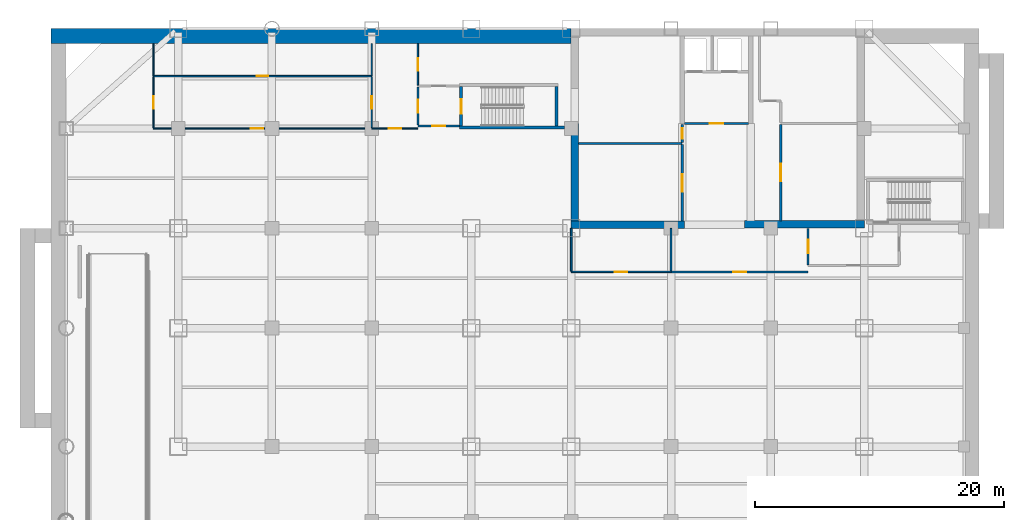
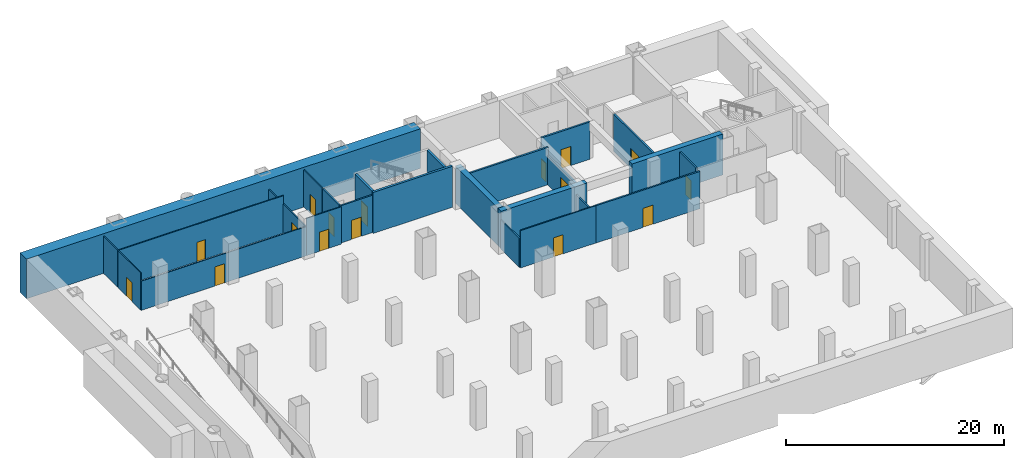
# One storey, part 4 of 8: 27 walls, 16 doors, 16 openings.
"""IFC4 building model written with IfcOpenShell, lengths in metres."""

from ifc_helpers import new_model, si_unit, direction, frame, frame_2d, origin, place, context, subcontext, project, spatial, rectangle, extrude, material, layer, layer_set, type_object, element, fill, save


model = new_model("IFC4")

# Units and contexts
model_context = context("Model", 3, precision=1e-05, world=origin(), true_north=direction((0.0, 1.0)))
body_context = subcontext(model_context, "Body", "Model", "MODEL_VIEW")
ifc_project = project(units=[si_unit("LENGTHUNIT", "METRE"), si_unit("AREAUNIT", "SQUARE_METRE"), si_unit("VOLUMEUNIT", "CUBIC_METRE"), si_unit("PLANEANGLEUNIT", "RADIAN"), si_unit("MASSUNIT", "GRAM", prefix="KILO")], contexts=[model_context])

# Site, building, storey
site_placement = place(None, origin())
site = spatial("IfcSite", under=ifc_project, at=site_placement, CompositionType="ELEMENT")
building_placement = place(site_placement, origin())
building = spatial("IfcBuilding", under=site, at=building_placement, Name="Qianrong Seaharbour Tower", CompositionType="ELEMENT")
storey_placement = place(building_placement, frame((0.0, 0.0, -4.60009765625)))
storey = spatial("IfcBuildingStorey", under=building, at=storey_placement, Name="B01", CompositionType="ELEMENT", Elevation=-4.60009765625)

# Walls
ifc_material_1 = material(Name="Concrete C70/85", Category="concrete")
ifc_layer_1 = layer(ifc_material_1, 0.580078125)
ifc_layer_set_1 = layer_set([ifc_layer_1], Name="Concrete C70/85")
wall_type_1 = type_object("IfcWallType", Name="WALL-CORE-580", PredefinedType="SHEAR", material=ifc_layer_set_1)
wall_1_placement = place(storey_placement, frame((40.7900390625, 36.580078125, 0.0), z_axis=(0.0, 0.0, 1.0), x_axis=(0.0, 1.0, 0.0)))
element("IfcWall", 1, at=wall_1_placement, inside=storey, type_object=wall_type_1, Name="B01 West Core Shear Wall South", PredefinedType="SHEAR", context=body_context, shape_type="SweptSolid", body=[
    extrude(rectangle(XDim=7.81982421875, YDim=0.580078125, at=frame_2d((3.909912109375, 0.0))), origin(), (0.0, 0.0, 1.0), 4.18017578125),
])
wall_2_placement = place(storey_placement, frame((40.5, 36.2900390625, 0.0), z_axis=(0.0, 0.0, 1.0), x_axis=(1.0, 0.0, 0.0)))
element("IfcWall", 2, at=wall_2_placement, inside=storey, type_object=wall_type_1, Name="B01 South Core Shear Wall S1", PredefinedType="SHEAR", context=body_context, shape_type="SweptSolid", body=[
    extrude(rectangle(XDim=9.10009765625, YDim=0.580078125, at=frame_2d((4.550048828125, 0.0))), origin(), (0.0, 0.0, 1.0), 4.18017578125),
])
wall_3_placement = place(storey_placement, frame((54.39990234375, 36.320068359375, 0.0), z_axis=(0.0, 0.0, 1.0), x_axis=(1.0, 0.0, 0.0)))
element("IfcWall", 3, at=wall_3_placement, inside=storey, type_object=wall_type_1, Name="B01 South Core Shear Wall S3", PredefinedType="SHEAR", context=body_context, shape_type="SweptSolid", body=[
    extrude(rectangle(XDim=9.60009765625, YDim=0.580078125, at=frame_2d((4.800048828125, 0.0))), origin(), (0.0, 0.0, 1.0), 4.60009765625),
])

# Wall, opening, door
ifc_material_2 = material(Name="Fire-rated acoustic gypsum board partition")
ifc_layer_2 = layer(ifc_material_2, 0.1650390625)
ifc_layer_set_2 = layer_set([ifc_layer_2], Name="Fire-rated acoustic gypsum board partition")
wall_type_2 = type_object("IfcWallType", Name="WALL-CORR-PART-165", PredefinedType="PARTITIONING", material=ifc_layer_set_2)
wall_4_placement = place(storey_placement, frame((28.199951171875, 44.2744140625, 0.0), z_axis=(0.0, 0.0, 1.0), x_axis=(0.0, 1.0, 0.0)))
wall_4 = element("IfcWall", 4, at=wall_4_placement, inside=storey, type_object=wall_type_2, Name="B01 Interior Partition Wall 010", PredefinedType="PARTITIONING", context=body_context, shape_type="SweptSolid", body=[
    extrude(rectangle(XDim=3.051025390625, YDim=0.1650390625, at=frame_2d((1.525390625, 0.0))), origin(), (0.0, 0.0, 1.0), 4.18017578125),
])
opening_1_placement = place(wall_4_placement, frame((1.00048828125, 0.0, 0.0)))
opening_1 = element("IfcOpeningElement", 5, at=opening_1_placement, cuts=wall_4, Name="Opening DC-01", PredefinedType="OPENING", context=body_context, shape_type="SweptSolid", body=[
    extrude(rectangle(XDim=1.050048828125, YDim=2.14990234375, at=frame_2d((0.52490234375, 1.074951171875))), frame((0.0, 0.092529296875, 0.0), z_axis=(0.0, -1.0, 0.0), x_axis=(1.0, 0.0, 0.0)), (0.0, 0.0, 1.0), 0.18505859375),
])
ifc_material_3 = material(Name="Acoustic timber and galvanized steel fire door assembly", Category="steel")
door_type_1 = type_object("IfcDoorType", Name="DOOR-CORR-FD60-1050x2150", OperationType="NOTDEFINED", PredefinedType="DOOR", material=ifc_material_3)
door_1_placement = place(opening_1_placement, origin())
door_1 = element("IfcDoor", 6, at=door_1_placement, inside=storey, type_object=door_type_1, Name="B01 Basement Stair Vestibule BST-1 Door", OperationType="SINGLE_SWING_RIGHT", OverallHeight=2.14990234375, OverallWidth=1.050048828125, PredefinedType="DOOR", context=body_context, shape_type="SweptSolid", body=[
    extrude(rectangle(XDim=1.050048828125, YDim=2.14990234375, at=frame_2d((0.52490234375, 1.074951171875))), frame((0.0, 0.02490234375, 0.0), z_axis=(0.0, -1.0, 0.0), x_axis=(1.0, 0.0, 0.0)), (0.0, 0.0, 1.0), 0.050048828125),
])
fill(opening_1, door_1)

wall_5_placement = place(storey_placement, frame((31.56005859375, 44.199951171875, 0.0), z_axis=(0.0, 0.0, 1.0), x_axis=(-1.0, 0.0, 0.0)))
wall_5 = element("IfcWall", 7, at=wall_5_placement, inside=storey, type_object=wall_type_2, Name="B01 Interior Partition Wall 011", PredefinedType="PARTITIONING", context=body_context, shape_type="SweptSolid", body=[
    extrude(rectangle(XDim=3.360107421875, YDim=0.1650390625, at=frame_2d((1.68017578125, 0.0))), origin(), (0.0, 0.0, 1.0), 4.18017578125),
])
opening_2_placement = place(wall_5_placement, frame((1.155029296875, 0.0, 0.0)))
opening_2 = element("IfcOpeningElement", 8, at=opening_2_placement, cuts=wall_5, Name="Opening DC-01", PredefinedType="OPENING", context=body_context, shape_type="SweptSolid", body=[
    extrude(rectangle(XDim=1.050048828125, YDim=2.14990234375, at=frame_2d((0.52490234375, 1.074951171875))), frame((0.0, 0.092529296875, 0.0), z_axis=(0.0, -1.0, 0.0), x_axis=(1.0, 0.0, 0.0)), (0.0, 0.0, 1.0), 0.18505859375),
])
door_2_placement = place(opening_2_placement, origin())
door_2 = element("IfcDoor", 9, at=door_2_placement, inside=storey, type_object=door_type_1, Name="B01 Basement Stair Vestibule BST-1 Door", OperationType="SINGLE_SWING_RIGHT", OverallHeight=2.14990234375, OverallWidth=1.050048828125, PredefinedType="DOOR", context=body_context, shape_type="SweptSolid", body=[
    extrude(rectangle(XDim=1.050048828125, YDim=2.14990234375, at=frame_2d((0.52490234375, 1.074951171875))), frame((0.0, 0.02490234375, 0.0), z_axis=(0.0, -1.0, 0.0), x_axis=(1.0, 0.0, 0.0)), (0.0, 0.0, 1.0), 0.050048828125),
])
fill(opening_2, door_2)

wall_6_placement = place(storey_placement, frame((59.5, 33.074462890625, 0.0), z_axis=(0.0, 0.0, 1.0), x_axis=(0.0, 1.0, 0.0)))
wall_6 = element("IfcWall", 10, at=wall_6_placement, inside=storey, type_object=wall_type_2, Name="B01 Interior Partition Wall 013", PredefinedType="PARTITIONING", context=body_context, shape_type="SweptSolid", body=[
    extrude(rectangle(XDim=2.925537109375, YDim=0.1650390625, at=frame_2d((1.462890625, 0.0))), origin(), (0.0, 0.0, 1.0), 4.18017578125),
])
opening_3_placement = place(wall_6_placement, frame((0.937744140625, 0.0, 0.0)))
opening_3 = element("IfcOpeningElement", 11, at=opening_3_placement, cuts=wall_6, Name="Opening DC-01", PredefinedType="OPENING", context=body_context, shape_type="SweptSolid", body=[
    extrude(rectangle(XDim=1.050048828125, YDim=2.14990234375, at=frame_2d((0.52490234375, 1.074951171875))), frame((0.0, 0.092529296875, 0.0), z_axis=(0.0, -1.0, 0.0), x_axis=(1.0, 0.0, 0.0)), (0.0, 0.0, 1.0), 0.18505859375),
])
door_3_placement = place(opening_3_placement, origin())
door_3 = element("IfcDoor", 12, at=door_3_placement, inside=storey, type_object=door_type_1, Name="B01 Basement Stair Vestibule BST-2 Door", OperationType="SINGLE_SWING_LEFT", OverallHeight=2.14990234375, OverallWidth=1.050048828125, PredefinedType="DOOR", context=body_context, shape_type="SweptSolid", body=[
    extrude(rectangle(XDim=1.050048828125, YDim=2.14990234375, at=frame_2d((0.52490234375, 1.074951171875))), frame((0.0, 0.02490234375, 0.0), z_axis=(0.0, -1.0, 0.0), x_axis=(1.0, 0.0, 0.0)), (0.0, 0.0, 1.0), 0.050048828125),
])
fill(opening_3, door_3)

wall_7_placement = place(storey_placement, frame((59.5, 32.5, 0.0), z_axis=(0.0, 0.0, 1.0), x_axis=(-1.0, 0.0, 0.0)))
wall_7 = element("IfcWall", 13, at=wall_7_placement, inside=storey, type_object=wall_type_2, Name="B01 Interior Partition Wall 025", PredefinedType="PARTITIONING", context=body_context, shape_type="SweptSolid", body=[
    extrude(rectangle(XDim=11.0, YDim=0.1650390625, at=frame_2d((5.5, 0.0))), origin(), (0.0, 0.0, 1.0), 4.18017578125),
])
opening_4_placement = place(wall_7_placement, frame((4.97509765625, 0.0, 0.0)))
opening_4 = element("IfcOpeningElement", 14, at=opening_4_placement, cuts=wall_7, Name="Opening DC-01", PredefinedType="OPENING", context=body_context, shape_type="SweptSolid", body=[
    extrude(rectangle(XDim=1.050048828125, YDim=2.14990234375, at=frame_2d((0.52490234375, 1.074951171875))), frame((0.0, 0.092529296875, 0.0), z_axis=(0.0, -1.0, 0.0), x_axis=(1.0, 0.0, 0.0)), (0.0, 0.0, 1.0), 0.18505859375),
])
door_4_placement = place(opening_4_placement, origin())
door_4 = element("IfcDoor", 15, at=door_4_placement, inside=storey, type_object=door_type_1, Name="B01 Car Park Lift Lobby Door", OperationType="SINGLE_SWING_RIGHT", OverallHeight=2.14990234375, OverallWidth=1.050048828125, PredefinedType="DOOR", context=body_context, shape_type="SweptSolid", body=[
    extrude(rectangle(XDim=1.050048828125, YDim=2.14990234375, at=frame_2d((0.52490234375, 1.074951171875))), frame((0.0, 0.02490234375, 0.0), z_axis=(0.0, -1.0, 0.0), x_axis=(1.0, 0.0, 0.0)), (0.0, 0.0, 1.0), 0.050048828125),
])
fill(opening_4, door_4)

ifc_material_4 = material(Name="Demountable aluminium-framed acoustic office partition", Category="aluminium")
ifc_layer_3 = layer(ifc_material_4, 0.110107421875)
ifc_layer_set_3 = layer_set([ifc_layer_3], Name="Demountable aluminium-framed acoustic office partition")
wall_type_3 = type_object("IfcWallType", Name="WALL-DEMOUNT-110", PredefinedType="MOVABLE", material=ifc_layer_set_3)
wall_8_placement = place(storey_placement, frame((7.0, 48.199951171875, 0.0), z_axis=(0.0, 0.0, 1.0), x_axis=(1.0, 0.0, 0.0)))
wall_8 = element("IfcWall", 16, at=wall_8_placement, inside=storey, type_object=wall_type_3, Name="B01 Interior Partition Wall 016", PredefinedType="MOVABLE", context=body_context, shape_type="SweptSolid", body=[
    extrude(rectangle(XDim=17.5, YDim=0.110107421875, at=frame_2d((8.75, 0.0))), origin(), (0.0, 0.0, 1.0), 4.18017578125),
])
opening_5_placement = place(wall_8_placement, frame((8.300048828125, 0.0, 0.0)))
opening_5 = element("IfcOpeningElement", 17, at=opening_5_placement, cuts=wall_8, Name="Opening DS-01", PredefinedType="OPENING", context=body_context, shape_type="SweptSolid", body=[
    extrude(rectangle(XDim=0.89990234375, YDim=2.14990234375, at=frame_2d((0.449951171875, 1.074951171875))), frame((0.0, 0.06494140625, 0.0), z_axis=(0.0, -1.0, 0.0), x_axis=(1.0, 0.0, 0.0)), (0.0, 0.0, 1.0), 0.130126953125),
])
door_type_2 = type_object("IfcDoorType", Name="DOOR-STORE-900x2150", OperationType="NOTDEFINED", PredefinedType="DOOR", material=ifc_material_3)
door_5_placement = place(opening_5_placement, origin())
door_5 = element("IfcDoor", 18, at=door_5_placement, inside=storey, type_object=door_type_2, Name="B01 Goods Receiving Store Room Door", OperationType="SINGLE_SWING_RIGHT", OverallHeight=2.14990234375, OverallWidth=0.89990234375, PredefinedType="DOOR", context=body_context, shape_type="SweptSolid", body=[
    extrude(rectangle(XDim=0.89990234375, YDim=2.14990234375, at=frame_2d((0.449951171875, 1.074951171875))), frame((0.0, 0.02490234375, 0.0), z_axis=(0.0, -1.0, 0.0), x_axis=(1.0, 0.0, 0.0)), (0.0, 0.0, 1.0), 0.050048828125),
])
fill(opening_5, door_5)

wall_9_placement = place(storey_placement, frame((24.5, 48.153076171875, 0.0), z_axis=(0.0, 0.0, 1.0), x_axis=(0.0, -1.0, 0.0)))
wall_9 = element("IfcWall", 19, at=wall_9_placement, inside=storey, type_object=wall_type_3, Name="B01 Interior Partition Wall 017", PredefinedType="MOVABLE", context=body_context, shape_type="SweptSolid", body=[
    extrude(rectangle(XDim=4.10595703125, YDim=0.110107421875, at=frame_2d((2.052978515625, 0.0))), origin(), (0.0, 0.0, 1.0), 3.272216796875),
])
opening_6_placement = place(wall_9_placement, frame((1.552978515625, 0.0, 0.0)))
opening_6 = element("IfcOpeningElement", 20, at=opening_6_placement, cuts=wall_9, Name="Opening DO-01", PredefinedType="OPENING", context=body_context, shape_type="SweptSolid", body=[
    extrude(rectangle(XDim=1.0, YDim=2.14990234375, at=frame_2d((0.5, 1.074951171875))), frame((0.0, 0.06494140625, 0.0), z_axis=(0.0, -1.0, 0.0), x_axis=(1.0, 0.0, 0.0)), (0.0, 0.0, 1.0), 0.130126953125),
])
door_type_3 = type_object("IfcDoorType", Name="DOOR-OFFICE-1000x2150", OperationType="NOTDEFINED", PredefinedType="DOOR", material=ifc_material_3)
door_6_placement = place(opening_6_placement, origin())
door_6 = element("IfcDoor", 21, at=door_6_placement, inside=storey, type_object=door_type_3, Name="B01 Loading Bay Door", OperationType="SINGLE_SWING_LEFT", OverallHeight=2.14990234375, OverallWidth=1.0, PredefinedType="DOOR", context=body_context, shape_type="SweptSolid", body=[
    extrude(rectangle(XDim=1.0, YDim=2.14990234375, at=frame_2d((0.5, 1.074951171875))), frame((0.0, 0.02490234375, 0.0), z_axis=(0.0, -1.0, 0.0), x_axis=(1.0, 0.0, 0.0)), (0.0, 0.0, 1.0), 0.050048828125),
])
fill(opening_6, door_6)

wall_10_placement = place(storey_placement, frame((24.5, 44.0, 0.0), z_axis=(0.0, 0.0, 1.0), x_axis=(-1.0, 0.0, 0.0)))
wall_10 = element("IfcWall", 22, at=wall_10_placement, inside=storey, type_object=wall_type_3, Name="B01 Interior Partition Wall 018", PredefinedType="MOVABLE", context=body_context, shape_type="SweptSolid", body=[
    extrude(rectangle(XDim=17.5, YDim=0.110107421875, at=frame_2d((8.75, 0.0))), origin(), (0.0, 0.0, 1.0), 3.272216796875),
])
opening_7_placement = place(wall_10_placement, frame((8.699951171875, 0.0, 0.0)))
opening_7 = element("IfcOpeningElement", 23, at=opening_7_placement, cuts=wall_10, Name="Opening DO-01", PredefinedType="OPENING", context=body_context, shape_type="SweptSolid", body=[
    extrude(rectangle(XDim=1.0, YDim=2.14990234375, at=frame_2d((0.5, 1.074951171875))), frame((0.0, 0.06494140625, 0.0), z_axis=(0.0, -1.0, 0.0), x_axis=(1.0, 0.0, 0.0)), (0.0, 0.0, 1.0), 0.130126953125),
])
door_7_placement = place(opening_7_placement, origin())
door_7 = element("IfcDoor", 24, at=door_7_placement, inside=storey, type_object=door_type_3, Name="B01 Loading Bay Door", OperationType="SINGLE_SWING_LEFT", OverallHeight=2.14990234375, OverallWidth=1.0, PredefinedType="DOOR", context=body_context, shape_type="SweptSolid", body=[
    extrude(rectangle(XDim=1.0, YDim=2.14990234375, at=frame_2d((0.5, 1.074951171875))), frame((0.0, 0.02490234375, 0.0), z_axis=(0.0, -1.0, 0.0), x_axis=(1.0, 0.0, 0.0)), (0.0, 0.0, 1.0), 0.050048828125),
])
fill(opening_7, door_7)

wall_11_placement = place(storey_placement, frame((7.0, 44.047119140625, 0.0), z_axis=(0.0, 0.0, 1.0), x_axis=(0.0, 1.0, 0.0)))
wall_11 = element("IfcWall", 25, at=wall_11_placement, inside=storey, type_object=wall_type_3, Name="B01 Interior Partition Wall 019", PredefinedType="MOVABLE", context=body_context, shape_type="SweptSolid", body=[
    extrude(rectangle(XDim=4.10595703125, YDim=0.110107421875, at=frame_2d((2.052978515625, 0.0))), origin(), (0.0, 0.0, 1.0), 4.18017578125),
])
opening_8_placement = place(wall_11_placement, frame((1.552978515625, 0.0, 0.0)))
opening_8 = element("IfcOpeningElement", 26, at=opening_8_placement, cuts=wall_11, Name="Opening DO-01", PredefinedType="OPENING", context=body_context, shape_type="SweptSolid", body=[
    extrude(rectangle(XDim=1.0, YDim=2.14990234375, at=frame_2d((0.5, 1.074951171875))), frame((0.0, 0.06494140625, 0.0), z_axis=(0.0, -1.0, 0.0), x_axis=(1.0, 0.0, 0.0)), (0.0, 0.0, 1.0), 0.130126953125),
])
door_8_placement = place(opening_8_placement, origin())
door_8 = element("IfcDoor", 27, at=door_8_placement, inside=storey, type_object=door_type_3, Name="B01 Loading Bay Door", OperationType="SINGLE_SWING_RIGHT", OverallHeight=2.14990234375, OverallWidth=1.0, PredefinedType="DOOR", context=body_context, shape_type="SweptSolid", body=[
    extrude(rectangle(XDim=1.0, YDim=2.14990234375, at=frame_2d((0.5, 1.074951171875))), frame((0.0, 0.02490234375, 0.0), z_axis=(0.0, -1.0, 0.0), x_axis=(1.0, 0.0, 0.0)), (0.0, 0.0, 1.0), 0.050048828125),
])
fill(opening_8, door_8)

# Walls
wall_12_placement = place(storey_placement, frame((24.5, 50.80810546875, 0.0), z_axis=(0.0, 0.0, 1.0), x_axis=(0.0, -1.0, 0.0)))
element("IfcWall", 28, at=wall_12_placement, inside=storey, type_object=wall_type_3, Name="B01 Interior Partition Wall 020", PredefinedType="MOVABLE", context=body_context, shape_type="SweptSolid", body=[
    extrude(rectangle(XDim=2.56103515625, YDim=0.110107421875, at=frame_2d((1.280517578125, 0.0))), origin(), (0.0, 0.0, 1.0), 3.272216796875),
])
wall_13_placement = place(storey_placement, frame((7.0, 48.2470703125, 0.0), z_axis=(0.0, 0.0, 1.0), x_axis=(0.0, 1.0, 0.0)))
element("IfcWall", 29, at=wall_13_placement, inside=storey, type_object=wall_type_3, Name="B01 Interior Partition Wall 021", PredefinedType="MOVABLE", context=body_context, shape_type="SweptSolid", body=[
    extrude(rectangle(XDim=2.56103515625, YDim=0.110107421875, at=frame_2d((1.280517578125, 0.0))), origin(), (0.0, 0.0, 1.0), 4.18017578125),
])

# Wall, opening, door
wall_14_placement = place(storey_placement, frame((28.199951171875, 44.0, 0.0), z_axis=(0.0, 0.0, 1.0), x_axis=(-1.0, 0.0, 0.0)))
wall_14 = element("IfcWall", 30, at=wall_14_placement, inside=storey, type_object=wall_type_3, Name="B01 Interior Partition Wall 022", PredefinedType="MOVABLE", context=body_context, shape_type="SweptSolid", body=[
    extrude(rectangle(XDim=3.699951171875, YDim=0.110107421875, at=frame_2d((1.85009765625, 0.0))), origin(), (0.0, 0.0, 1.0), 4.18017578125),
])
opening_9_placement = place(wall_14_placement, frame((1.35009765625, 0.0, 0.0)))
opening_9 = element("IfcOpeningElement", 31, at=opening_9_placement, cuts=wall_14, Name="Opening DO-01", PredefinedType="OPENING", context=body_context, shape_type="SweptSolid", body=[
    extrude(rectangle(XDim=1.0, YDim=2.14990234375, at=frame_2d((0.5, 1.074951171875))), frame((0.0, 0.06494140625, 0.0), z_axis=(0.0, -1.0, 0.0), x_axis=(1.0, 0.0, 0.0)), (0.0, 0.0, 1.0), 0.130126953125),
])
door_9_placement = place(opening_9_placement, origin())
door_9 = element("IfcDoor", 32, at=door_9_placement, inside=storey, type_object=door_type_3, Name="B01 Staff Bicycle Parking Room Door", OperationType="SINGLE_SWING_LEFT", OverallHeight=2.14990234375, OverallWidth=1.0, PredefinedType="DOOR", context=body_context, shape_type="SweptSolid", body=[
    extrude(rectangle(XDim=1.0, YDim=2.14990234375, at=frame_2d((0.5, 1.074951171875))), frame((0.0, 0.02490234375, 0.0), z_axis=(0.0, -1.0, 0.0), x_axis=(1.0, 0.0, 0.0)), (0.0, 0.0, 1.0), 0.050048828125),
])
fill(opening_9, door_9)

wall_15_placement = place(storey_placement, frame((28.199951171875, 50.80810546875, 0.0), z_axis=(0.0, 0.0, 1.0), x_axis=(0.0, -1.0, 0.0)))
wall_15 = element("IfcWall", 33, at=wall_15_placement, inside=storey, type_object=wall_type_3, Name="B01 Interior Partition Wall 023", PredefinedType="MOVABLE", context=body_context, shape_type="SweptSolid", body=[
    extrude(rectangle(XDim=3.33349609375, YDim=0.110107421875, at=frame_2d((1.666748046875, 0.0))), origin(), (0.0, 0.0, 1.0), 4.18017578125),
])
opening_10_placement = place(wall_15_placement, frame((1.166748046875, 0.0, 0.0)))
opening_10 = element("IfcOpeningElement", 34, at=opening_10_placement, cuts=wall_15, Name="Opening DO-01", PredefinedType="OPENING", context=body_context, shape_type="SweptSolid", body=[
    extrude(rectangle(XDim=1.0, YDim=2.14990234375, at=frame_2d((0.5, 1.074951171875))), frame((0.0, 0.06494140625, 0.0), z_axis=(0.0, -1.0, 0.0), x_axis=(1.0, 0.0, 0.0)), (0.0, 0.0, 1.0), 0.130126953125),
])
door_10_placement = place(opening_10_placement, origin())
door_10 = element("IfcDoor", 35, at=door_10_placement, inside=storey, type_object=door_type_3, Name="B01 Staff Bicycle Parking Room Door", OperationType="SINGLE_SWING_RIGHT", OverallHeight=2.14990234375, OverallWidth=1.0, PredefinedType="DOOR", context=body_context, shape_type="SweptSolid", body=[
    extrude(rectangle(XDim=1.0, YDim=2.14990234375, at=frame_2d((0.5, 1.074951171875))), frame((0.0, 0.02490234375, 0.0), z_axis=(0.0, -1.0, 0.0), x_axis=(1.0, 0.0, 0.0)), (0.0, 0.0, 1.0), 0.050048828125),
])
fill(opening_10, door_10)

# Wall
ifc_material_5 = material(Name="Concrete C50/60", Category="concrete")
ifc_layer_4 = layer(ifc_material_5, 1.199951171875)
ifc_layer_set_4 = layer_set([ifc_layer_4], Name="Concrete C50/60")
wall_type_4 = type_object("IfcWallType", Name="WALL-DW-1200", PredefinedType="USERDEFINED", material=ifc_layer_set_4)
wall_16_placement = place(storey_placement, frame((-1.199951171875, 51.39990234375, 0.0), z_axis=(0.0, 0.0, 1.0), x_axis=(1.0, 0.0, 0.0)))
element("IfcWall", 36, at=wall_16_placement, inside=storey, type_object=wall_type_4, Name="B01 North-West Diaphragm Retaining Wall", ObjectType="DIAPHRAGM WALL", PredefinedType="USERDEFINED", context=body_context, shape_type="SweptSolid", body=[
    extrude(rectangle(XDim=41.699951171875, YDim=1.199951171875, at=frame_2d((20.85009765625, 0.0))), origin(), (0.0, 0.0, 1.0), 4.4501953125),
])

# Wall, opening, door
ifc_material_6 = material(Name="Double fire-rated gypsum board acoustic partition")
ifc_layer_5 = layer(ifc_material_6, 0.18994140625)
ifc_layer_set_5 = layer_set([ifc_layer_5], Name="Double fire-rated gypsum board acoustic partition")
wall_type_5 = type_object("IfcWallType", Name="WALL-FIRE-PART-190", PredefinedType="PARTITIONING", material=ifc_layer_set_5)
wall_17_placement = place(storey_placement, frame((54.718017578125, 44.39990234375, 0.0), z_axis=(0.0, 0.0, 1.0), x_axis=(-1.0, 0.0, 0.0)))
wall_17 = element("IfcWall", 37, at=wall_17_placement, inside=storey, type_object=wall_type_5, Name="B01 Interior Partition Wall 001", PredefinedType="PARTITIONING", context=body_context, shape_type="SweptSolid", body=[
    extrude(rectangle(XDim=5.135986328125, YDim=0.18994140625, at=frame_2d((2.56787109375, 0.0))), origin(), (0.0, 0.0, 1.0), 4.18017578125),
])
opening_11_placement = place(wall_17_placement, frame((2.04296875, 0.0, 0.0)))
opening_11 = element("IfcOpeningElement", 38, at=opening_11_placement, cuts=wall_17, Name="Opening DC-01", PredefinedType="OPENING", context=body_context, shape_type="SweptSolid", body=[
    extrude(rectangle(XDim=1.050048828125, YDim=2.14990234375, at=frame_2d((0.52490234375, 1.074951171875))), frame((0.0, 0.10498046875, 0.0), z_axis=(0.0, -1.0, 0.0), x_axis=(1.0, 0.0, 0.0)), (0.0, 0.0, 1.0), 0.2099609375),
])
door_11_placement = place(opening_11_placement, origin())
door_11 = element("IfcDoor", 39, at=door_11_placement, inside=storey, type_object=door_type_1, Name="B01 Firefighting Lift Lobby Door", OperationType="SINGLE_SWING_RIGHT", OverallHeight=2.14990234375, OverallWidth=1.050048828125, PredefinedType="DOOR", context=body_context, shape_type="SweptSolid", body=[
    extrude(rectangle(XDim=1.050048828125, YDim=2.14990234375, at=frame_2d((0.52490234375, 1.074951171875))), frame((0.0, 0.02490234375, 0.0), z_axis=(0.0, -1.0, 0.0), x_axis=(1.0, 0.0, 0.0)), (0.0, 0.0, 1.0), 0.050048828125),
])
fill(opening_11, door_11)

wall_18_placement = place(storey_placement, frame((49.39990234375, 36.580078125, 0.0), z_axis=(0.0, 0.0, 1.0), x_axis=(0.0, 1.0, 0.0)))
wall_18 = element("IfcWall", 40, at=wall_18_placement, inside=storey, type_object=wall_type_5, Name="B01 Interior Partition Wall 002", PredefinedType="PARTITIONING", context=body_context, shape_type="SweptSolid", body=[
    extrude(rectangle(XDim=6.1328125, YDim=0.18994140625, at=frame_2d((3.06640625, 0.0))), origin(), (0.0, 0.0, 1.0), 3.272216796875),
])
opening_12_placement = place(wall_18_placement, frame((2.366455078125, 0.0, 0.0)))
opening_12 = element("IfcOpeningElement", 41, at=opening_12_placement, cuts=wall_18, Name="Opening DP-01", PredefinedType="OPENING", context=body_context, shape_type="SweptSolid", body=[
    extrude(rectangle(XDim=1.39990234375, YDim=2.25, at=frame_2d((0.699951171875, 1.125))), frame((0.0, 0.10498046875, 0.0), z_axis=(0.0, -1.0, 0.0), x_axis=(1.0, 0.0, 0.0)), (0.0, 0.0, 1.0), 0.2099609375),
])
door_type_4 = type_object("IfcDoorType", Name="DOOR-PLANT-PAIR-1400x2250", OperationType="DOUBLE_DOOR_SINGLE_SWING", PredefinedType="DOOR", material=ifc_material_3)
door_12_placement = place(opening_12_placement, origin())
door_12 = element("IfcDoor", 42, at=door_12_placement, inside=storey, type_object=door_type_4, Name="B01 Basement Core Electrical Switch Room Door", OperationType="DOUBLE_DOOR_SINGLE_SWING", OverallHeight=2.25, OverallWidth=1.39990234375, PredefinedType="DOOR", context=body_context, shape_type="SweptSolid", body=[
    extrude(rectangle(XDim=1.39990234375, YDim=2.25, at=frame_2d((0.699951171875, 1.125))), frame((0.0, 0.02490234375, 0.0), z_axis=(0.0, -1.0, 0.0), x_axis=(1.0, 0.0, 0.0)), (0.0, 0.0, 1.0), 0.050048828125),
])
fill(opening_12, door_12)

wall_19_placement = place(storey_placement, frame((49.39990234375, 42.886962890625, 0.0), z_axis=(0.0, 0.0, 1.0), x_axis=(0.0, 1.0, 0.0)))
wall_19 = element("IfcWall", 43, at=wall_19_placement, inside=storey, type_object=wall_type_5, Name="B01 Interior Partition Wall 003", PredefinedType="PARTITIONING", context=body_context, shape_type="SweptSolid", body=[
    extrude(rectangle(XDim=1.426025390625, YDim=0.18994140625, at=frame_2d((0.712890625, 0.0))), origin(), (0.0, 0.0, 1.0), 3.272216796875),
])
opening_13_placement = place(wall_19_placement, frame((0.282958984375, 0.0, 0.0)))
opening_13 = element("IfcOpeningElement", 44, at=opening_13_placement, cuts=wall_19, Name="Opening DU-01", PredefinedType="OPENING", context=body_context, shape_type="SweptSolid", body=[
    extrude(rectangle(XDim=0.860107421875, YDim=2.10009765625, at=frame_2d((0.43017578125, 1.050048828125))), frame((0.0, 0.10498046875, 0.0), z_axis=(0.0, -1.0, 0.0), x_axis=(1.0, 0.0, 0.0)), (0.0, 0.0, 1.0), 0.2099609375),
])
door_type_5 = type_object("IfcDoorType", Name="DOOR-UTIL-860x2100", OperationType="NOTDEFINED", PredefinedType="DOOR", material=ifc_material_3)
door_13_placement = place(opening_13_placement, origin())
door_13 = element("IfcDoor", 45, at=door_13_placement, inside=storey, type_object=door_type_5, Name="B01 Basement Telecom Riser Room Door", OperationType="SINGLE_SWING_RIGHT", OverallHeight=2.10009765625, OverallWidth=0.860107421875, PredefinedType="DOOR", context=body_context, shape_type="SweptSolid", body=[
    extrude(rectangle(XDim=0.860107421875, YDim=2.10009765625, at=frame_2d((0.43017578125, 1.050048828125))), frame((0.0, 0.02490234375, 0.0), z_axis=(0.0, -1.0, 0.0), x_axis=(1.0, 0.0, 0.0)), (0.0, 0.0, 1.0), 0.050048828125),
])
fill(opening_13, door_13)

wall_20_placement = place(storey_placement, frame((57.300048828125, 44.31298828125, 0.0), z_axis=(0.0, 0.0, 1.0), x_axis=(0.0, -1.0, 0.0)))
wall_20 = element("IfcWall", 46, at=wall_20_placement, inside=storey, type_object=wall_type_5, Name="B01 Interior Partition Wall 004", PredefinedType="PARTITIONING", context=body_context, shape_type="SweptSolid", body=[
    extrude(rectangle(XDim=7.7109375, YDim=0.18994140625, at=frame_2d((3.85546875, 0.0))), origin(), (0.0, 0.0, 1.0), 4.18017578125),
])
opening_14_placement = place(wall_20_placement, frame((3.155517578125, 0.0, 0.0)))
opening_14 = element("IfcOpeningElement", 47, at=opening_14_placement, cuts=wall_20, Name="Opening DP-01", PredefinedType="OPENING", context=body_context, shape_type="SweptSolid", body=[
    extrude(rectangle(XDim=1.39990234375, YDim=2.25, at=frame_2d((0.699951171875, 1.125))), frame((0.0, 0.10498046875, 0.0), z_axis=(0.0, -1.0, 0.0), x_axis=(1.0, 0.0, 0.0)), (0.0, 0.0, 1.0), 0.2099609375),
])
door_14_placement = place(opening_14_placement, origin())
door_14 = element("IfcDoor", 48, at=door_14_placement, inside=storey, type_object=door_type_4, Name="B01 Sprinkler Valve and Riser Room Door", OperationType="DOUBLE_DOOR_SINGLE_SWING", OverallHeight=2.25, OverallWidth=1.39990234375, PredefinedType="DOOR", context=body_context, shape_type="SweptSolid", body=[
    extrude(rectangle(XDim=1.39990234375, YDim=2.25, at=frame_2d((0.699951171875, 1.125))), frame((0.0, 0.02490234375, 0.0), z_axis=(0.0, -1.0, 0.0), x_axis=(1.0, 0.0, 0.0)), (0.0, 0.0, 1.0), 0.050048828125),
])
fill(opening_14, door_14)

# Walls
wall_21_placement = place(storey_placement, frame((41.080078125, 42.800048828125, 0.0), z_axis=(0.0, 0.0, 1.0), x_axis=(1.0, 0.0, 0.0)))
element("IfcWall", 49, at=wall_21_placement, inside=storey, type_object=wall_type_5, Name="B01 Interior Partition Wall 007", PredefinedType="PARTITIONING", context=body_context, shape_type="SweptSolid", body=[
    extrude(rectangle(XDim=8.31982421875, YDim=0.18994140625, at=frame_2d((4.159912109375, 0.0))), origin(), (0.0, 0.0, 1.0), 4.18017578125),
])
ifc_layer_6 = layer(ifc_material_5, 0.239990234375)
ifc_layer_set_6 = layer_set([ifc_layer_6], Name="Concrete C50/60")
wall_type_6 = type_object("IfcWallType", Name="WALL-SHAFT-RC240", PredefinedType="SOLIDWALL", material=ifc_layer_set_6)
wall_22_placement = place(storey_placement, frame((39.969970703125, 44.080078125, 0.0), z_axis=(0.0, 0.0, 1.0), x_axis=(-1.0, 0.0, 0.0)))
element("IfcWall", 50, at=wall_22_placement, inside=storey, type_object=wall_type_6, Name="B01 BST-1 Structural Stair Core Wall S", PredefinedType="SOLIDWALL", context=body_context, shape_type="SweptSolid", body=[
    extrude(rectangle(XDim=8.409912109375, YDim=0.239990234375, at=frame_2d((4.205078125, 0.0))), origin(), (0.0, 0.0, 1.0), 4.60009765625),
])

# Wall, opening, door
wall_23_placement = place(storey_placement, frame((31.679931640625, 47.35009765625, 0.0), z_axis=(0.0, 0.0, 1.0), x_axis=(0.0, -1.0, 0.0)))
wall_23 = element("IfcWall", 51, at=wall_23_placement, inside=storey, type_object=wall_type_6, Name="B01 BST-1 Structural Stair Core Wall W", PredefinedType="SOLIDWALL", context=body_context, shape_type="SweptSolid", body=[
    extrude(rectangle(XDim=3.150146484375, YDim=0.239990234375, at=frame_2d((1.5751953125, 0.0))), origin(), (0.0, 0.0, 1.0), 4.60009765625),
])
opening_15_placement = place(wall_23_placement, frame((1.0, 0.0, 0.0)))
opening_15 = element("IfcOpeningElement", 52, at=opening_15_placement, cuts=wall_23, Name="Opening SD-01", PredefinedType="OPENING", context=body_context, shape_type="SweptSolid", body=[
    extrude(rectangle(XDim=1.14990234375, YDim=2.199951171875, at=frame_2d((0.574951171875, 1.10009765625))), frame((0.0, 0.1298828125, 0.0), z_axis=(0.0, -1.0, 0.0), x_axis=(1.0, 0.0, 0.0)), (0.0, 0.0, 1.0), 0.260009765625),
])
door_type_6 = type_object("IfcDoorType", Name="DOOR-STAIR-FD60-1150x2200", OperationType="NOTDEFINED", PredefinedType="DOOR", material=ifc_material_3)
door_15_placement = place(opening_15_placement, origin())
door_15 = element("IfcDoor", 53, at=door_15_placement, inside=storey, type_object=door_type_6, Name="B01 BST-1 Protected Stair Door", OperationType="SINGLE_SWING_RIGHT", OverallHeight=2.199951171875, OverallWidth=1.14990234375, PredefinedType="DOOR", context=body_context, shape_type="SweptSolid", body=[
    extrude(rectangle(XDim=1.14990234375, YDim=2.199951171875, at=frame_2d((0.574951171875, 1.10009765625))), frame((0.0, 0.02490234375, 0.0), z_axis=(0.0, -1.0, 0.0), x_axis=(1.0, 0.0, 0.0)), (0.0, 0.0, 1.0), 0.050048828125),
])
fill(opening_15, door_15)

# Walls
wall_24_placement = place(storey_placement, frame((39.320068359375, 44.199951171875, 0.0), z_axis=(0.0, 0.0, 1.0), x_axis=(0.0, 1.0, 0.0)))
element("IfcWall", 54, at=wall_24_placement, inside=storey, type_object=wall_type_6, Name="B01 BST-1 Structural Stair Core Wall E", PredefinedType="SOLIDWALL", context=body_context, shape_type="SweptSolid", body=[
    extrude(rectangle(XDim=3.150146484375, YDim=0.239990234375, at=frame_2d((1.5751953125, 0.0))), origin(), (0.0, 0.0, 1.0), 4.60009765625),
])
ifc_material_7 = material(Name="Water-resistant cement board sanitary partition")
ifc_layer_7 = layer(ifc_material_7, 0.1298828125)
ifc_layer_set_7 = layer_set([ifc_layer_7], Name="Water-resistant cement board sanitary partition")
wall_type_7 = type_object("IfcWallType", Name="WALL-WET-PART-130", PredefinedType="PARTITIONING", material=ifc_layer_set_7)
wall_25_placement = place(storey_placement, frame((48.5, 32.574462890625, 0.0), z_axis=(0.0, 0.0, 1.0), x_axis=(0.0, 1.0, 0.0)))
element("IfcWall", 55, at=wall_25_placement, inside=storey, type_object=wall_type_7, Name="B01 Interior Partition Wall 024", PredefinedType="PARTITIONING", context=body_context, shape_type="SweptSolid", body=[
    extrude(rectangle(XDim=3.425537109375, YDim=0.1298828125, at=frame_2d((1.712890625, 0.0))), origin(), (0.0, 0.0, 1.0), 3.272216796875),
])

# Wall, opening, door
wall_26_placement = place(storey_placement, frame((48.5, 32.5, 0.0), z_axis=(0.0, 0.0, 1.0), x_axis=(-1.0, 0.0, 0.0)))
wall_26 = element("IfcWall", 56, at=wall_26_placement, inside=storey, type_object=wall_type_7, Name="B01 Interior Partition Wall 026", PredefinedType="PARTITIONING", context=body_context, shape_type="SweptSolid", body=[
    extrude(rectangle(XDim=8.0, YDim=0.1298828125, at=frame_2d((4.0, 0.0))), origin(), (0.0, 0.0, 1.0), 4.18017578125),
])
opening_16_placement = place(wall_26_placement, frame((3.489990234375, 0.0, 0.0)))
opening_16 = element("IfcOpeningElement", 57, at=opening_16_placement, cuts=wall_26, Name="Opening DAW-01", PredefinedType="OPENING", context=body_context, shape_type="SweptSolid", body=[
    extrude(rectangle(XDim=1.02001953125, YDim=2.14990234375, at=frame_2d((0.510009765625, 1.074951171875))), frame((0.0, 0.074951171875, 0.0), z_axis=(0.0, -1.0, 0.0), x_axis=(1.0, 0.0, 0.0)), (0.0, 0.0, 1.0), 0.14990234375),
])
door_type_7 = type_object("IfcDoorType", Name="DOOR-AWC-SLIDE-1020x2150", OperationType="SLIDING_TO_LEFT", PredefinedType="DOOR", material=ifc_material_3)
door_16_placement = place(opening_16_placement, origin())
door_16 = element("IfcDoor", 58, at=door_16_placement, inside=storey, type_object=door_type_7, Name="B01 Basement Accessible Restroom WC Door", OperationType="SLIDING_TO_LEFT", OverallHeight=2.14990234375, OverallWidth=1.02001953125, PredefinedType="DOOR", context=body_context, shape_type="SweptSolid", body=[
    extrude(rectangle(XDim=1.02001953125, YDim=2.14990234375, at=frame_2d((0.510009765625, 1.074951171875))), frame((0.0, 0.02490234375, 0.0), z_axis=(0.0, -1.0, 0.0), x_axis=(1.0, 0.0, 0.0)), (0.0, 0.0, 1.0), 0.050048828125),
])
fill(opening_16, door_16)

# Wall
wall_27_placement = place(storey_placement, frame((40.5, 32.556884765625, 0.0), z_axis=(0.0, 0.0, 1.0), x_axis=(0.0, 1.0, 0.0)))
element("IfcWall", 59, at=wall_27_placement, inside=storey, type_object=wall_type_7, Name="B01 Interior Partition Wall 027", PredefinedType="PARTITIONING", context=body_context, shape_type="SweptSolid", body=[
    extrude(rectangle(XDim=3.443115234375, YDim=0.1298828125, at=frame_2d((1.7216796875, 0.0))), origin(), (0.0, 0.0, 1.0), 3.272216796875),
])

save(model, "model.ifc")
